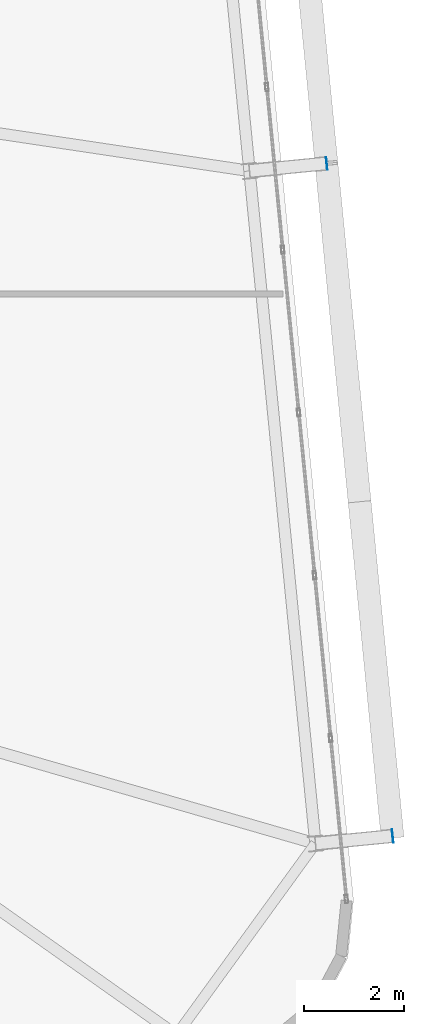
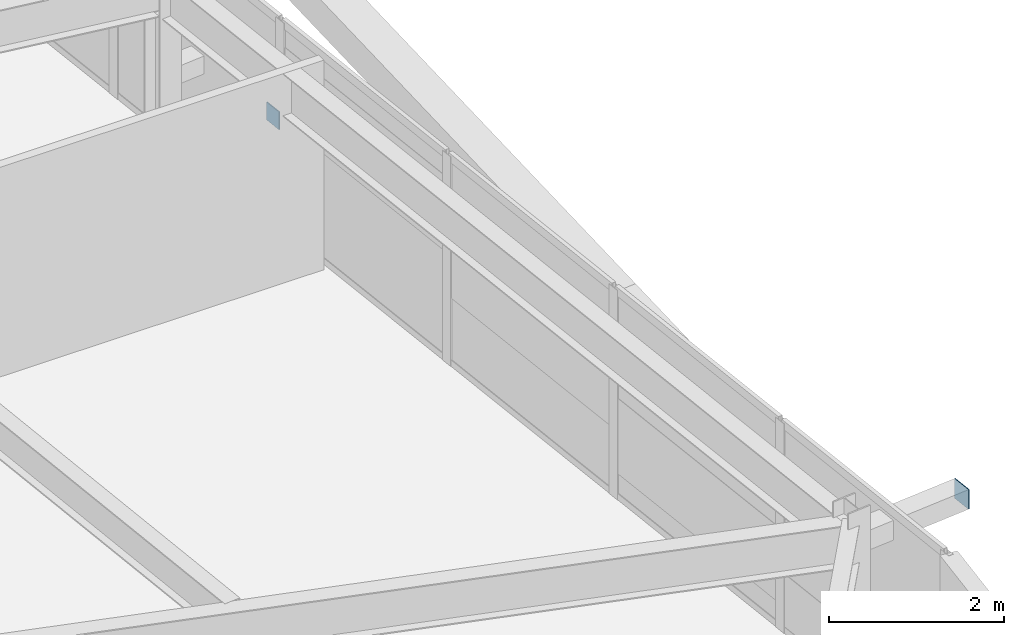
# One storey, part 42 of 54: 2 plates.
"""IFC4 building model written with IfcOpenShell, lengths in metres."""

from ifc_helpers import new_model, si_unit, direction, frame, origin, origin_2d, place, context, subcontext, project, spatial, rectangle, extrude, source, transform, mapped, material, layer, layer_set, type_object, element, save


model = new_model("IFC4")

# Units and contexts
model_context = context("Model", 3, precision=1e-05, world=origin(), true_north=direction((0.0, 1.0)))
body_context = subcontext(model_context, "Body", "Model", "MODEL_VIEW")
ifc_project = project(units=[si_unit("LENGTHUNIT", "METRE"), si_unit("AREAUNIT", "SQUARE_METRE"), si_unit("VOLUMEUNIT", "CUBIC_METRE"), si_unit("PLANEANGLEUNIT", "RADIAN"), si_unit("MASSUNIT", "GRAM", prefix="KILO")], contexts=[model_context])

# Site, building, storey
site_placement = place(None, origin())
site = spatial("IfcSite", under=ifc_project, at=site_placement, CompositionType="ELEMENT")
building_placement = place(site_placement, origin())
building = spatial("IfcBuilding", under=site, at=building_placement, Name="Taldren Reach Tower", CompositionType="ELEMENT")
storey_placement = place(building_placement, frame((0.0, 0.0, 99.75)))
storey = spatial("IfcBuildingStorey", under=building, at=storey_placement, Name="L30", CompositionType="ELEMENT", Elevation=99.75)

# Plates
ifc_material_1 = material(Name="Steel Gr 450 (C450L0)", Category="steel")
ifc_layer_1 = layer(ifc_material_1, 0.011962890625)
ifc_layer_set_1 = layer_set([ifc_layer_1], Name="Steel Gr 450 (C450L0)")
plate_type_1 = type_object("IfcPlateType", Name="PL-CAP-275", PredefinedType="SHEET", material=ifc_layer_set_1)
shared_shape_1 = source(origin(), body_context, "Body", "SweptSolid", [
    extrude(rectangle(XDim=0.011962890625, YDim=0.27490234375, at=origin_2d()), origin(), (0.0, 0.0, 1.0), 0.27490234375),
])
plate_1_placement = place(storey_placement, frame((67.440185546875, 8.635498046875, 2.512451171875), z_axis=(0.0, 0.0, 1.0), x_axis=(0.995227399982, 0.097582899759, 0.0)))
element("IfcPlate", 1, at=plate_1_placement, inside=storey, type_object=plate_type_1, Name="Tie strut end cap plate B2-E1 L30", PredefinedType="SHEET", context=body_context, shape_type="MappedRepresentation", body=[
    mapped(shared_shape_1, transform((0.0, 0.0, 0.0), scale=1.0)),
])
ifc_material_2 = material(Name="Steel Gr 350 (C350L0)", Category="steel")
ifc_layer_2 = layer(ifc_material_2, 0.011962890625)
ifc_layer_set_2 = layer_set([ifc_layer_2], Name="Steel Gr 350 (C350L0)")
plate_type_2 = type_object("IfcPlateType", Name="PL-CAP-250", PredefinedType="SHEET", material=ifc_layer_set_2)
shared_shape_2 = source(origin(), body_context, "Body", "SweptSolid", [
    extrude(rectangle(XDim=0.011962890625, YDim=0.25, at=origin_2d()), origin(), (0.0, 0.0, 1.0), 0.25),
])
plate_2_placement = place(storey_placement, frame((66.1181640625, 22.120849609375, 0.094970703125), z_axis=(0.0, 0.0, 1.0), x_axis=(0.995227399982, 0.097582899759, 0.0)))
element("IfcPlate", 2, at=plate_2_placement, inside=storey, type_object=plate_type_2, Name="Tie strut end cap plate B2-E2 L30", PredefinedType="SHEET", context=body_context, shape_type="MappedRepresentation", body=[
    mapped(shared_shape_2, transform((0.0, 0.0, 0.0), scale=1.0)),
])

save(model, "model.ifc")
